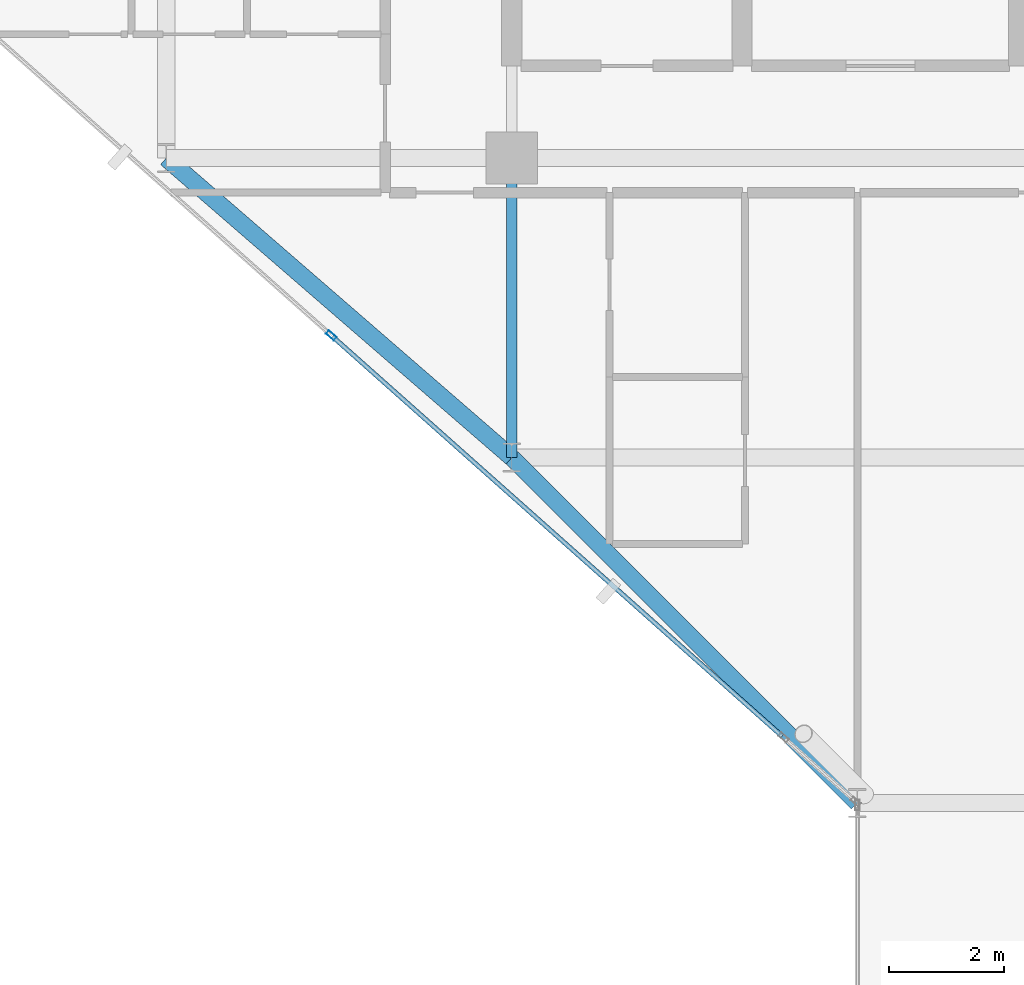
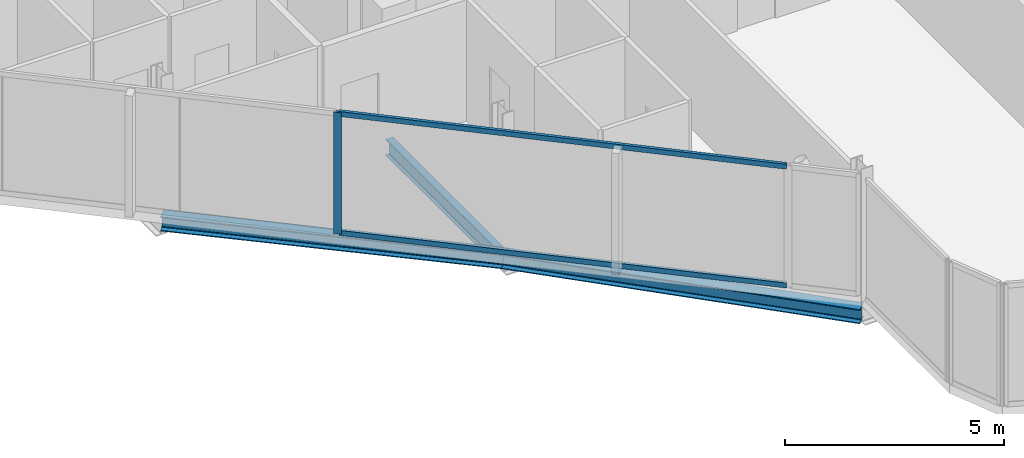
# One storey, part 4 of 31: 3 beams, 3 members, 1 element without a shape of its own.
"""IFC4 building model written with IfcOpenShell, lengths in metres."""

from ifc_helpers import new_model, si_unit, direction, frame, origin, origin_2d, place, context, subcontext, project, spatial, hollow_rectangle, i_section, extrude, material, layer, layer_set, material_profile, profile_set, type_object, element, aggregate, save


model = new_model("IFC4")

# Units and contexts
model_context = context("Model", 3, precision=1e-05, world=origin(), true_north=direction((0.0, 1.0)))
body_context = subcontext(model_context, "Body", "Model", "MODEL_VIEW")
ifc_project = project(units=[si_unit("LENGTHUNIT", "METRE"), si_unit("AREAUNIT", "SQUARE_METRE"), si_unit("VOLUMEUNIT", "CUBIC_METRE"), si_unit("PLANEANGLEUNIT", "RADIAN"), si_unit("MASSUNIT", "GRAM", prefix="KILO")], contexts=[model_context])

# Site, building, storey
site_placement = place(None, origin())
site = spatial("IfcSite", under=ifc_project, at=site_placement, CompositionType="ELEMENT")
building_placement = place(site_placement, origin())
building = spatial("IfcBuilding", under=site, at=building_placement, Name="Keshet Zoharim Tower", CompositionType="ELEMENT")
storey_placement = place(building_placement, frame((0.0, 0.0, 133.5)))
storey = spatial("IfcBuildingStorey", under=building, at=storey_placement, Name="L32", CompositionType="ELEMENT", Elevation=133.5)

# Beams
ifc_material_1 = material(Name="Steel S355", Category="steel")
ifc_material_profile_1 = material_profile(ifc_material_1, i_section(OverallWidth=0.18994140625, OverallDepth=0.449951171875, WebThickness=0.009521484375, FlangeThickness=0.0146484375, FilletRadius=0.02099609375, at=origin_2d()), Name="IPE450")
ifc_profile_set_1 = profile_set([ifc_material_profile_1], Name="Steel S355")
beam_type_1 = type_object("IfcBeamType", Name="BM-PRI-IP450", PredefinedType="BEAM", material=ifc_profile_set_1)
beam_1_placement = place(storey_placement, frame((15.0, 12.699951171875, -0.5400390625), z_axis=(0.0, 1.0, 0.0), x_axis=(-1.0, 0.0, 0.0)))
element("IfcBeam", 1, at=beam_1_placement, inside=storey, type_object=beam_type_1, Name="L32 Primary Girder Y-002", PredefinedType="BEAM", context=body_context, shape_type="SweptSolid", body=[
    extrude(i_section(OverallWidth=0.18994140625, OverallDepth=0.449951171875, WebThickness=0.009521484375, FlangeThickness=0.0146484375, FilletRadius=0.02099609375, at=origin_2d()), origin(), (0.0, 0.0, 1.0), 5.199951171875),
])
ifc_material_profile_2 = material_profile(ifc_material_1, i_section(OverallWidth=0.300048828125, OverallDepth=0.39990234375, WebThickness=0.013427734375, FlangeThickness=0.02392578125, FilletRadius=0.027099609375, at=origin_2d()), Name="HEB400")
ifc_profile_set_2 = profile_set([ifc_material_profile_2], Name="Steel S355")
beam_type_2 = type_object("IfcBeamType", Name="BM-SPN-HB400", PredefinedType="SPANDREL", material=ifc_profile_set_2)
beam_2_placement = place(storey_placement, frame((21.0, 6.699951171875, -0.514892578125), z_axis=(-0.707106781187, 0.707106781187, 0.0), x_axis=(-0.707106781187, -0.707106781187, 0.0)))
element("IfcBeam", 2, at=beam_2_placement, inside=storey, type_object=beam_type_2, Name="L32 Perimeter Spandrel Beam 01", PredefinedType="SPANDREL", context=body_context, shape_type="SweptSolid", body=[
    extrude(i_section(OverallWidth=0.300048828125, OverallDepth=0.39990234375, WebThickness=0.013427734375, FlangeThickness=0.02392578125, FilletRadius=0.027099609375, at=origin_2d()), origin(), (0.0, 0.0, 1.0), 8.4853515625),
])
beam_3_placement = place(storey_placement, frame((9.0, 17.89990234375, -0.514892578125), z_axis=(0.755692126483, -0.654927026447, 0.0), x_axis=(0.654927026447, 0.755692126483, 0.0)))
element("IfcBeam", 3, at=beam_3_placement, inside=storey, type_object=beam_type_2, Name="L32 Perimeter Spandrel Beam 02", PredefinedType="SPANDREL", context=body_context, shape_type="SweptSolid", body=[
    extrude(i_section(OverallWidth=0.300048828125, OverallDepth=0.39990234375, WebThickness=0.013427734375, FlangeThickness=0.02392578125, FilletRadius=0.027099609375, at=origin_2d()), origin(), (0.0, 0.0, 1.0), 7.939697265625),
])

# Curtain wall, members
ifc_material_2 = material(Name="Aluminium 6063-T6", Category="aluminium")
ifc_layer = layer(ifc_material_2, 0.159912109375)
ifc_layer_set = layer_set([ifc_layer], Name="Aluminium 6063-T6")
curtain_wall_type = type_object("IfcCurtainWallType", Name="CW-SYS-03", PredefinedType="NOTDEFINED", material=ifc_layer_set)
curtain_wall_placement = place(storey_placement, origin())
curtain_wall = element("IfcCurtainWall", 4, at=curtain_wall_placement, inside=storey, type_object=curtain_wall_type, Name="L32 Unitised Curtain Wall 07 Part 2", PredefinedType="NOTDEFINED")
ifc_material_profile_3 = material_profile(ifc_material_2, hollow_rectangle(XDim=0.080078125, YDim=0.179931640625, WallThickness=0.00439453125, at=origin_2d()), Name="MUL-80x180")
ifc_profile_set_3 = profile_set([ifc_material_profile_3], Name="Aluminium 6063-T6")
member_type_1 = type_object("IfcMemberType", Name="CWM-M18", PredefinedType="MULLION", material=ifc_profile_set_3)
member_1_placement = place(storey_placement, frame((11.864990234375, 14.820068359375, 0.0), z_axis=(0.0, 0.0, 1.0), x_axis=(-0.664363542589, -0.747409582009, 0.0)))
member_1 = element("IfcMember", 5, at=member_1_placement, type_object=member_type_1, Name="CW-03 mullion 2", PredefinedType="MULLION", context=body_context, shape_type="SweptSolid", body=[
    extrude(hollow_rectangle(XDim=0.080078125, YDim=0.179931640625, WallThickness=0.00439453125, at=origin_2d()), origin(), (0.0, 0.0, 1.0), 3.385009765625),
])
ifc_material_profile_4 = material_profile(ifc_material_2, hollow_rectangle(XDim=0.080078125, YDim=0.139892578125, WallThickness=0.00390625, at=origin_2d()), Name="TRN-80x140")
ifc_profile_set_4 = profile_set([ifc_material_profile_4], Name="Aluminium 6063-T6")
member_type_2 = type_object("IfcMemberType", Name="CWT-T14", PredefinedType="USERDEFINED", material=ifc_profile_set_4)
member_2_placement = place(storey_placement, frame((19.69482421875, 7.860107421875, 0.034912109375), z_axis=(-0.747402868264, 0.664371095482, 0.0), x_axis=(-0.664371095482, -0.747402868264, 0.0)))
member_2 = element("IfcMember", 6, at=member_2_placement, type_object=member_type_2, Name="CW-03 transom 1.1", ObjectType="TRANSOM", PredefinedType="USERDEFINED", context=body_context, shape_type="SweptSolid", body=[
    extrude(hollow_rectangle(XDim=0.080078125, YDim=0.139892578125, WallThickness=0.00390625, at=origin_2d()), origin(), (0.0, 0.0, 1.0), 10.441162109375),
])
member_3_placement = place(storey_placement, frame((19.69482421875, 7.860107421875, 3.35009765625), z_axis=(-0.747402868264, 0.664371095482, 0.0), x_axis=(-0.664371095482, -0.747402868264, 0.0)))
member_3 = element("IfcMember", 7, at=member_3_placement, type_object=member_type_2, Name="CW-03 transom 1.2", ObjectType="TRANSOM", PredefinedType="USERDEFINED", context=body_context, shape_type="SweptSolid", body=[
    extrude(hollow_rectangle(XDim=0.080078125, YDim=0.139892578125, WallThickness=0.00390625, at=origin_2d()), origin(), (0.0, 0.0, 1.0), 10.441162109375),
])
aggregate(curtain_wall, [member_1, member_2, member_3])

save(model, "model.ifc")
